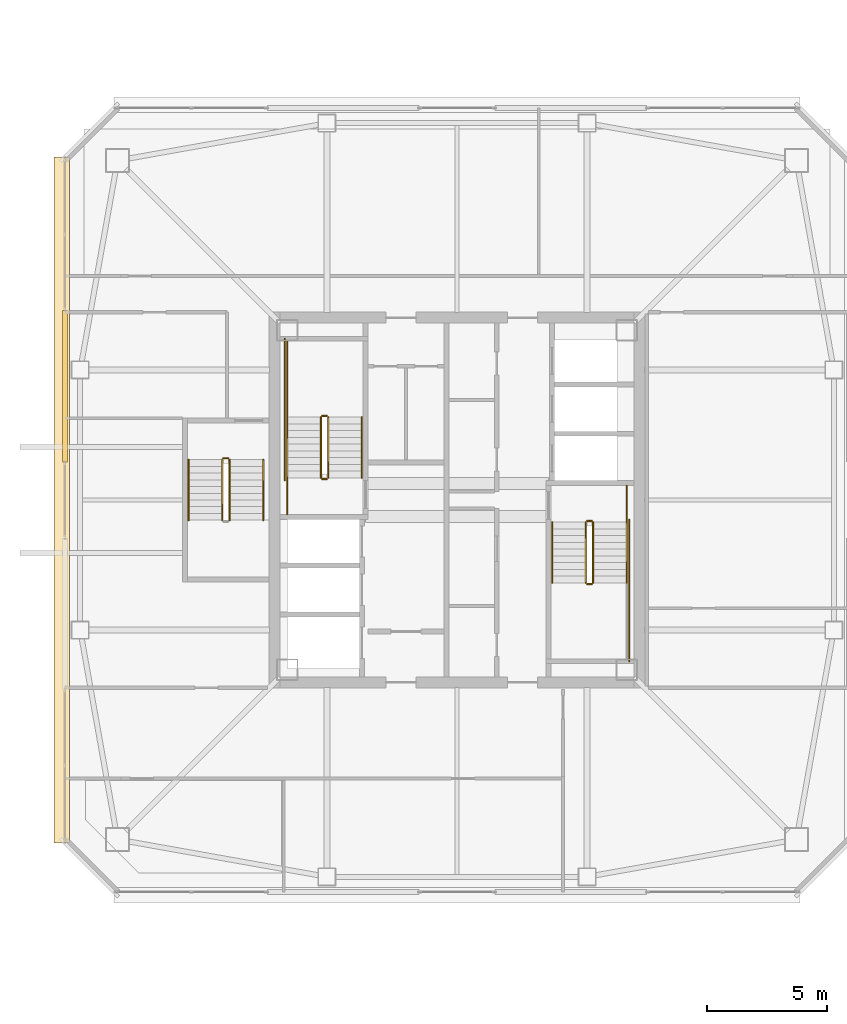
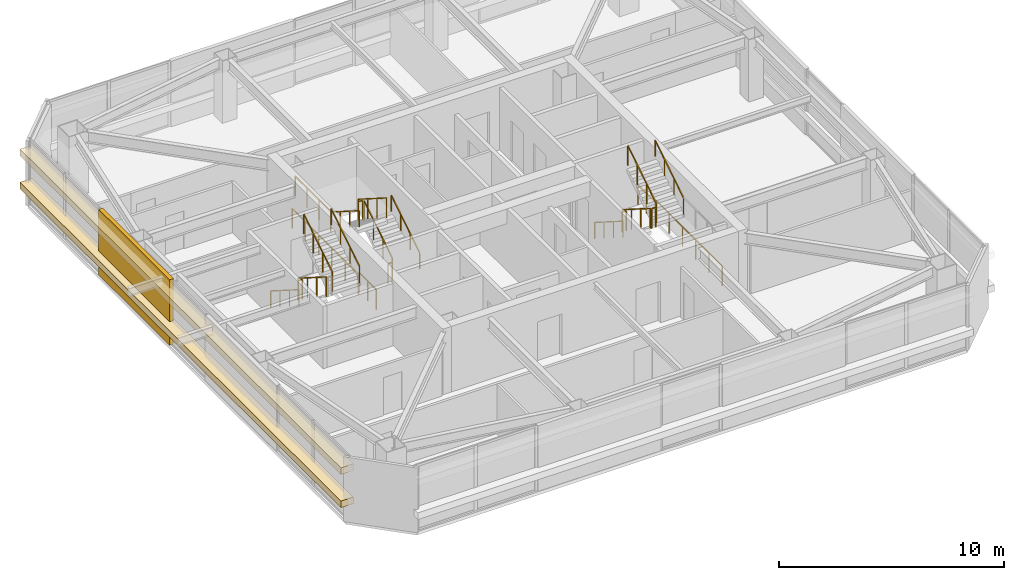
# One storey, part 40 of 44: 22 railings, 3 coverings.
"""IFC4 building model written with IfcOpenShell, lengths in metres."""

from ifc_helpers import new_model, si_unit, direction, frame, origin, origin_2d, place, context, subcontext, project, spatial, rectangle, extrude, material, layer, layer_set, type_object, element, save


model = new_model("IFC4")

# Units and contexts
model_context = context("Model", 3, precision=1e-05, world=origin(), true_north=direction((0.0, 1.0)))
body_context = subcontext(model_context, "Body", "Model", "MODEL_VIEW")
ifc_project = project(units=[si_unit("LENGTHUNIT", "METRE"), si_unit("AREAUNIT", "SQUARE_METRE"), si_unit("VOLUMEUNIT", "CUBIC_METRE"), si_unit("PLANEANGLEUNIT", "RADIAN"), si_unit("MASSUNIT", "GRAM", prefix="KILO")], contexts=[model_context])

# Site, building, storey
site_placement = place(None, origin())
site = spatial("IfcSite", under=ifc_project, at=site_placement, CompositionType="ELEMENT")
building_placement = place(site_placement, origin())
building = spatial("IfcBuilding", under=site, at=building_placement, Name="Tashvorn Skyway Center", CompositionType="ELEMENT")
storey_placement = place(building_placement, frame((0.0, 0.0, 211.300048828125)))
storey = spatial("IfcBuildingStorey", under=building, at=storey_placement, Name="L57", CompositionType="ELEMENT", Elevation=211.300048828125)

# Coverings
ifc_material_1 = material(Name="Precast concrete C40/50", Category="concrete")
ifc_layer_1 = layer(ifc_material_1, 0.199951171875)
ifc_layer_set_1 = layer_set([ifc_layer_1], Name="Precast concrete C40/50")
covering_type_1 = type_object("IfcCoveringType", Name="COV-BRACE-CLAD", PredefinedType="CLADDING", material=ifc_layer_set_1)
covering_placement = place(storey_placement, frame((25.719970703125, 36.726806640625, 0.0), z_axis=(0.0, 0.0, 1.0), x_axis=(0.0, 1.0, 0.0)))
element("IfcCovering", 1, at=covering_placement, inside=storey, type_object=covering_type_1, Name="Tower 1 L57 West Unitised Curtain Wall Mega-Brace Cladding Band 2", PredefinedType="CLADDING", context=body_context, shape_type="SweptSolid", body=[
    extrude(rectangle(XDim=6.30224609375, YDim=0.199951171875, at=origin_2d()), origin(), (0.0, 0.0, 1.0), 3.550048828125),
])
ifc_material_2 = material(Name="Perforated ceramic-coated bronze aluminium solar screen", Category="aluminium")
ifc_layer_2 = layer(ifc_material_2, 0.85009765625)
ifc_layer_set_2 = layer_set([ifc_layer_2], Name="Perforated ceramic-coated bronze aluminium solar screen")
covering_type_2 = type_object("IfcCoveringType", Name="COV-SOLAR-BAND", PredefinedType="CLADDING", material=ifc_layer_set_2)
for number, where, z_axis, x_axis, name in (
    (2, (25.580078125, 32.0, 0.919921875), (0.0, 0.0, 1.0), (0.0, 1.0, 0.0), "L57 Perforated Ceramic-Metal Solar Screen Louvre Band West 1"),
    (3, (25.580078125, 32.0, 2.7197265625), (0.0, 0.0, 1.0), (0.0, 1.0, 0.0), "L57 Perforated Ceramic-Metal Solar Screen Louvre Band West 2"),
):
    element("IfcCovering", number, at=place(storey_placement, frame(where, z_axis=z_axis, x_axis=x_axis)), inside=storey, type_object=covering_type_2, Name=name, PredefinedType="CLADDING", context=body_context, shape_type="SweptSolid", body=[
        extrude(rectangle(XDim=28.47998046875, YDim=0.639892578125, at=origin_2d()), origin(), (0.0, 0.0, 1.0), 0.360107421875),
    ])

# Railings
ifc_material_3 = material(Name="Brushed stainless steel 316", Category="steel")
railing_type_1 = type_object("IfcRailingType", Name="RAIL-HAND-920", PredefinedType="HANDRAIL", material=ifc_material_3)
railing_1_placement = place(storey_placement, frame((38.050048828125, 32.919921875, 0.177490234375)))
element("IfcRailing", 4, at=railing_1_placement, inside=storey, type_object=railing_type_1, Name="L57 ST-T1-1 stair handrail 1", PredefinedType="HANDRAIL", context=body_context, shape_type="SweptSolid", body=[
    extrude(rectangle(XDim=0.048095703125, YDim=0.048095703125, at=origin_2d()), frame((0.0, 0.0, 0.8759765625), z_axis=(0.0, 0.84460694969, 0.535386869969), x_axis=(-1.0, 0.0, 0.0)), (0.0, 0.0, 1.0), 2.983642578125),
    extrude(rectangle(XDim=0.0419921875, YDim=0.0419921875, at=origin_2d()), origin(), (0.0, 0.0, 1.0), 0.851806640625),
    extrude(rectangle(XDim=0.0419921875, YDim=0.0419921875, at=origin_2d()), frame((0.0, 0.840087890625, 0.532470703125)), (0.0, 0.0, 1.0), 0.851806640625),
    extrude(rectangle(XDim=0.0419921875, YDim=0.0419921875, at=origin_2d()), frame((0.0, 1.679931640625, 1.06494140625)), (0.0, 0.0, 1.0), 0.851806640625),
    extrude(rectangle(XDim=0.0419921875, YDim=0.0419921875, at=origin_2d()), frame((0.0, 2.52001953125, 1.597412109375)), (0.0, 0.0, 1.0), 0.851806640625),
])
railing_2_placement = place(storey_placement, frame((34.949951171875, 35.43994140625, 1.952392578125)))
element("IfcRailing", 5, at=railing_2_placement, inside=storey, type_object=railing_type_1, Name="L57 ST-T1-1 stair handrail 2", PredefinedType="HANDRAIL", context=body_context, shape_type="SweptSolid", body=[
    extrude(rectangle(XDim=0.048095703125, YDim=0.048095703125, at=origin_2d()), frame((0.0, 0.0, 0.8759765625), z_axis=(0.0, -0.84456994832, 0.535445237532), x_axis=(1.0, 0.0, 0.0)), (0.0, 0.0, 1.0), 2.98388671875),
    extrude(rectangle(XDim=0.0419921875, YDim=0.0419921875, at=origin_2d()), origin(), (0.0, 0.0, 1.0), 0.851806640625),
    extrude(rectangle(XDim=0.0419921875, YDim=0.0419921875, at=origin_2d()), frame((0.0, -0.840087890625, 0.532470703125)), (0.0, 0.0, 1.0), 0.851806640625),
    extrude(rectangle(XDim=0.0419921875, YDim=0.0419921875, at=origin_2d()), frame((0.0, -1.679931640625, 1.065185546875)), (0.0, 0.0, 1.0), 0.851806640625),
    extrude(rectangle(XDim=0.0419921875, YDim=0.0419921875, at=origin_2d()), frame((0.0, -2.52001953125, 1.59765625)), (0.0, 0.0, 1.0), 0.851806640625),
])
railing_3_placement = place(storey_placement, frame((45.949951171875, 31.080078125, 0.177490234375)))
element("IfcRailing", 6, at=railing_3_placement, inside=storey, type_object=railing_type_1, Name="L57 ST-T1-2 stair handrail 1", PredefinedType="HANDRAIL", context=body_context, shape_type="SweptSolid", body=[
    extrude(rectangle(XDim=0.048095703125, YDim=0.048095703125, at=origin_2d()), frame((0.0, 0.0, 0.8759765625), z_axis=(0.0, -0.84460694969, 0.535386869969), x_axis=(1.0, 0.0, 0.0)), (0.0, 0.0, 1.0), 2.983642578125),
    extrude(rectangle(XDim=0.0419921875, YDim=0.0419921875, at=origin_2d()), origin(), (0.0, 0.0, 1.0), 0.851806640625),
    extrude(rectangle(XDim=0.0419921875, YDim=0.0419921875, at=origin_2d()), frame((0.0, -0.840087890625, 0.532470703125)), (0.0, 0.0, 1.0), 0.851806640625),
    extrude(rectangle(XDim=0.0419921875, YDim=0.0419921875, at=origin_2d()), frame((0.0, -1.679931640625, 1.06494140625)), (0.0, 0.0, 1.0), 0.851806640625),
    extrude(rectangle(XDim=0.0419921875, YDim=0.0419921875, at=origin_2d()), frame((0.0, -2.52001953125, 1.597412109375)), (0.0, 0.0, 1.0), 0.851806640625),
])
railing_4_placement = place(storey_placement, frame((49.050048828125, 28.56005859375, 1.952392578125)))
element("IfcRailing", 7, at=railing_4_placement, inside=storey, type_object=railing_type_1, Name="L57 ST-T1-2 stair handrail 2", PredefinedType="HANDRAIL", context=body_context, shape_type="SweptSolid", body=[
    extrude(rectangle(XDim=0.048095703125, YDim=0.048095703125, at=origin_2d()), frame((0.0, 0.0, 0.8759765625), z_axis=(0.0, 0.84456994832, 0.535445237532), x_axis=(-1.0, 0.0, 0.0)), (0.0, 0.0, 1.0), 2.98388671875),
    extrude(rectangle(XDim=0.0419921875, YDim=0.0419921875, at=origin_2d()), origin(), (0.0, 0.0, 1.0), 0.851806640625),
    extrude(rectangle(XDim=0.0419921875, YDim=0.0419921875, at=origin_2d()), frame((0.0, 0.840087890625, 0.532470703125)), (0.0, 0.0, 1.0), 0.851806640625),
    extrude(rectangle(XDim=0.0419921875, YDim=0.0419921875, at=origin_2d()), frame((0.0, 1.679931640625, 1.065185546875)), (0.0, 0.0, 1.0), 0.851806640625),
    extrude(rectangle(XDim=0.0419921875, YDim=0.0419921875, at=origin_2d()), frame((0.0, 2.52001953125, 1.59765625)), (0.0, 0.0, 1.0), 0.851806640625),
])
railing_5_placement = place(storey_placement, frame((30.85009765625, 33.679931640625, 0.177490234375)))
element("IfcRailing", 8, at=railing_5_placement, inside=storey, type_object=railing_type_1, Name="L57 ST-T1-3 stair handrail 1", PredefinedType="HANDRAIL", context=body_context, shape_type="SweptSolid", body=[
    extrude(rectangle(XDim=0.048095703125, YDim=0.048095703125, at=origin_2d()), frame((0.0, 0.0, 0.8759765625), z_axis=(0.0, -0.84460694969, 0.535386869969), x_axis=(1.0, 0.0, 0.0)), (0.0, 0.0, 1.0), 2.983642578125),
    extrude(rectangle(XDim=0.0419921875, YDim=0.0419921875, at=origin_2d()), origin(), (0.0, 0.0, 1.0), 0.851806640625),
    extrude(rectangle(XDim=0.0419921875, YDim=0.0419921875, at=origin_2d()), frame((0.0, -0.840087890625, 0.532470703125)), (0.0, 0.0, 1.0), 0.851806640625),
    extrude(rectangle(XDim=0.0419921875, YDim=0.0419921875, at=origin_2d()), frame((0.0, -1.679931640625, 1.06494140625)), (0.0, 0.0, 1.0), 0.851806640625),
    extrude(rectangle(XDim=0.0419921875, YDim=0.0419921875, at=origin_2d()), frame((0.0, -2.52001953125, 1.597412109375)), (0.0, 0.0, 1.0), 0.851806640625),
])
railing_6_placement = place(storey_placement, frame((33.949951171875, 31.159912109375, 1.952392578125)))
element("IfcRailing", 9, at=railing_6_placement, inside=storey, type_object=railing_type_1, Name="L57 ST-T1-3 stair handrail 2", PredefinedType="HANDRAIL", context=body_context, shape_type="SweptSolid", body=[
    extrude(rectangle(XDim=0.048095703125, YDim=0.048095703125, at=origin_2d()), frame((0.0, 0.0, 0.8759765625), z_axis=(0.0, 0.84456994832, 0.535445237532), x_axis=(-1.0, 0.0, 0.0)), (0.0, 0.0, 1.0), 2.98388671875),
    extrude(rectangle(XDim=0.0419921875, YDim=0.0419921875, at=origin_2d()), origin(), (0.0, 0.0, 1.0), 0.851806640625),
    extrude(rectangle(XDim=0.0419921875, YDim=0.0419921875, at=origin_2d()), frame((0.0, 0.840087890625, 0.532470703125)), (0.0, 0.0, 1.0), 0.851806640625),
    extrude(rectangle(XDim=0.0419921875, YDim=0.0419921875, at=origin_2d()), frame((0.0, 1.679931640625, 1.065185546875)), (0.0, 0.0, 1.0), 0.851806640625),
    extrude(rectangle(XDim=0.0419921875, YDim=0.0419921875, at=origin_2d()), frame((0.0, 2.52001953125, 1.59765625)), (0.0, 0.0, 1.0), 0.851806640625),
])
ifc_material_4 = material(Name="Painted galvanized steel S355", Category="steel")
railing_type_2 = type_object("IfcRailingType", Name="RAIL-STGUARD-1100", PredefinedType="GUARDRAIL", material=ifc_material_4)
railing_7_placement = place(storey_placement, frame((36.64990234375, 32.919921875, 0.177490234375)))
element("IfcRailing", 10, at=railing_7_placement, inside=storey, type_object=railing_type_2, Name="L57 ST-T1-1 stair guard 1", PredefinedType="GUARDRAIL", context=body_context, shape_type="SweptSolid", body=[
    extrude(rectangle(XDim=0.048095703125, YDim=0.048095703125, at=origin_2d()), frame((0.0, 0.0, 1.076171875), z_axis=(0.0, 0.84460694969, 0.535386869969), x_axis=(-1.0, 0.0, 0.0)), (0.0, 0.0, 1.0), 2.983642578125),
    extrude(rectangle(XDim=0.0419921875, YDim=0.0419921875, at=origin_2d()), origin(), (0.0, 0.0, 1.0), 1.052001953125),
    extrude(rectangle(XDim=0.0419921875, YDim=0.0419921875, at=origin_2d()), frame((0.0, 0.840087890625, 0.532470703125)), (0.0, 0.0, 1.0), 1.052001953125),
    extrude(rectangle(XDim=0.0419921875, YDim=0.0419921875, at=origin_2d()), frame((0.0, 1.679931640625, 1.06494140625)), (0.0, 0.0, 1.0), 1.052001953125),
    extrude(rectangle(XDim=0.0419921875, YDim=0.0419921875, at=origin_2d()), frame((0.0, 2.52001953125, 1.597412109375)), (0.0, 0.0, 1.0), 1.052001953125),
])
railing_8_placement = place(storey_placement, frame((36.60009765625, 35.489990234375, 1.77490234375)))
element("IfcRailing", 11, at=railing_8_placement, inside=storey, type_object=railing_type_2, Name="L57 ST-T1-1 stair guard 2", PredefinedType="GUARDRAIL", context=body_context, shape_type="SweptSolid", body=[
    extrude(rectangle(XDim=0.048095703125, YDim=0.048095703125, at=origin_2d()), frame((0.0, 0.0, 1.076171875), z_axis=(-1.0, 0.0, 0.0), x_axis=(0.0, -1.0, 0.0)), (0.0, 0.0, 1.0), 0.2001953125),
    extrude(rectangle(XDim=0.0419921875, YDim=0.0419921875, at=origin_2d()), origin(), (0.0, 0.0, 1.0), 1.052001953125),
    extrude(rectangle(XDim=0.0419921875, YDim=0.0419921875, at=origin_2d()), frame((-0.2001953125, 0.0, 0.0)), (0.0, 0.0, 1.0), 1.052001953125),
])
railing_9_placement = place(storey_placement, frame((34.949951171875, 35.43994140625, 1.77490234375)))
element("IfcRailing", 12, at=railing_9_placement, inside=storey, type_object=railing_type_2, Name="L57 ST-T1-1 stair guard 3", PredefinedType="GUARDRAIL", context=body_context, shape_type="SweptSolid", body=[
    extrude(rectangle(XDim=0.048095703125, YDim=0.048095703125, at=origin_2d()), frame((0.0, 0.0, 1.076171875), z_axis=(0.0, 1.0, 0.0), x_axis=(-1.0, 0.0, 0.0)), (0.0, 0.0, 1.0), 3.16015625),
    extrude(rectangle(XDim=0.0419921875, YDim=0.0419921875, at=origin_2d()), origin(), (0.0, 0.0, 1.0), 1.052001953125),
    extrude(rectangle(XDim=0.0419921875, YDim=0.0419921875, at=origin_2d()), frame((0.0, 1.053466796875, 0.0)), (0.0, 0.0, 1.0), 1.052001953125),
    extrude(rectangle(XDim=0.0419921875, YDim=0.0419921875, at=origin_2d()), frame((0.0, 2.106689453125, 0.0)), (0.0, 0.0, 1.0), 1.052001953125),
    extrude(rectangle(XDim=0.0419921875, YDim=0.0419921875, at=origin_2d()), frame((0.0, 3.16015625, 0.0)), (0.0, 0.0, 1.0), 1.052001953125),
])
railing_10_placement = place(storey_placement, frame((36.35009765625, 35.43994140625, 1.952392578125)))
element("IfcRailing", 13, at=railing_10_placement, inside=storey, type_object=railing_type_2, Name="L57 ST-T1-1 stair guard 4", PredefinedType="GUARDRAIL", context=body_context, shape_type="SweptSolid", body=[
    extrude(rectangle(XDim=0.048095703125, YDim=0.048095703125, at=origin_2d()), frame((0.0, 0.0, 1.076171875), z_axis=(0.0, -0.84456994832, 0.535445237532), x_axis=(1.0, 0.0, 0.0)), (0.0, 0.0, 1.0), 2.98388671875),
    extrude(rectangle(XDim=0.0419921875, YDim=0.0419921875, at=origin_2d()), origin(), (0.0, 0.0, 1.0), 1.052001953125),
    extrude(rectangle(XDim=0.0419921875, YDim=0.0419921875, at=origin_2d()), frame((0.0, -0.840087890625, 0.532470703125)), (0.0, 0.0, 1.0), 1.052001953125),
    extrude(rectangle(XDim=0.0419921875, YDim=0.0419921875, at=origin_2d()), frame((0.0, -1.679931640625, 1.065185546875)), (0.0, 0.0, 1.0), 1.052001953125),
    extrude(rectangle(XDim=0.0419921875, YDim=0.0419921875, at=origin_2d()), frame((0.0, -2.52001953125, 1.59765625)), (0.0, 0.0, 1.0), 1.052001953125),
])
railing_11_placement = place(storey_placement, frame((36.60009765625, 32.8701171875, 0.0)))
element("IfcRailing", 14, at=railing_11_placement, inside=storey, type_object=railing_type_2, Name="L57 ST-T1-1 stair guard 5", PredefinedType="GUARDRAIL", context=body_context, shape_type="SweptSolid", body=[
    extrude(rectangle(XDim=0.048095703125, YDim=0.048095703125, at=origin_2d()), frame((0.0, 0.0, 1.076171875), z_axis=(-1.0, 0.0, 0.0), x_axis=(0.0, -1.0, 0.0)), (0.0, 0.0, 1.0), 0.2001953125),
    extrude(rectangle(XDim=0.0419921875, YDim=0.0419921875, at=origin_2d()), origin(), (0.0, 0.0, 1.0), 1.052001953125),
    extrude(rectangle(XDim=0.0419921875, YDim=0.0419921875, at=origin_2d()), frame((-0.2001953125, 0.0, 0.0)), (0.0, 0.0, 1.0), 1.052001953125),
])
railing_12_placement = place(storey_placement, frame((34.949951171875, 31.39990234375, 0.0)))
element("IfcRailing", 15, at=railing_12_placement, inside=storey, type_object=railing_type_2, Name="L57 ST-T1-1 stair guard 6", PredefinedType="GUARDRAIL", context=body_context, shape_type="SweptSolid", body=[
    extrude(rectangle(XDim=0.048095703125, YDim=0.048095703125, at=origin_2d()), frame((0.0, 0.0, 1.076171875), z_axis=(0.0, 1.0, 0.0), x_axis=(-1.0, 0.0, 0.0)), (0.0, 0.0, 1.0), 1.52001953125),
    extrude(rectangle(XDim=0.0419921875, YDim=0.0419921875, at=origin_2d()), origin(), (0.0, 0.0, 1.0), 1.052001953125),
    extrude(rectangle(XDim=0.0419921875, YDim=0.0419921875, at=origin_2d()), frame((0.0, 0.760009765625, 0.0)), (0.0, 0.0, 1.0), 1.052001953125),
    extrude(rectangle(XDim=0.0419921875, YDim=0.0419921875, at=origin_2d()), frame((0.0, 1.52001953125, 0.0)), (0.0, 0.0, 1.0), 1.052001953125),
])
railing_13_placement = place(storey_placement, frame((34.85009765625, 32.820068359375, 0.0)))
element("IfcRailing", 16, at=railing_13_placement, inside=storey, type_object=railing_type_2, Name="L57 ST-T1-1 stair guard 7", PredefinedType="GUARDRAIL", context=body_context, shape_type="SweptSolid", body=[
    extrude(rectangle(XDim=0.048095703125, YDim=0.048095703125, at=origin_2d()), frame((0.0, 0.0, 1.076171875), z_axis=(0.0, 1.0, 0.0), x_axis=(-1.0, 0.0, 0.0)), (0.0, 0.0, 1.0), 5.8798828125),
    extrude(rectangle(XDim=0.0419921875, YDim=0.0419921875, at=origin_2d()), origin(), (0.0, 0.0, 1.0), 1.052001953125),
    extrude(rectangle(XDim=0.0419921875, YDim=0.0419921875, at=origin_2d()), frame((0.0, 1.176025390625, 0.0)), (0.0, 0.0, 1.0), 1.052001953125),
    extrude(rectangle(XDim=0.0419921875, YDim=0.0419921875, at=origin_2d()), frame((0.0, 2.35205078125, 0.0)), (0.0, 0.0, 1.0), 1.052001953125),
    extrude(rectangle(XDim=0.0419921875, YDim=0.0419921875, at=origin_2d()), frame((0.0, 3.52783203125, 0.0)), (0.0, 0.0, 1.0), 1.052001953125),
    extrude(rectangle(XDim=0.0419921875, YDim=0.0419921875, at=origin_2d()), frame((0.0, 4.703857421875, 0.0)), (0.0, 0.0, 1.0), 1.052001953125),
    extrude(rectangle(XDim=0.0419921875, YDim=0.0419921875, at=origin_2d()), frame((0.0, 5.8798828125, 0.0)), (0.0, 0.0, 1.0), 1.052001953125),
])
railing_14_placement = place(storey_placement, frame((47.35009765625, 31.080078125, 0.177490234375)))
element("IfcRailing", 17, at=railing_14_placement, inside=storey, type_object=railing_type_2, Name="L57 ST-T1-2 stair guard 1", PredefinedType="GUARDRAIL", context=body_context, shape_type="SweptSolid", body=[
    extrude(rectangle(XDim=0.048095703125, YDim=0.048095703125, at=origin_2d()), frame((0.0, 0.0, 1.076171875), z_axis=(0.0, -0.84460694969, 0.535386869969), x_axis=(1.0, 0.0, 0.0)), (0.0, 0.0, 1.0), 2.983642578125),
    extrude(rectangle(XDim=0.0419921875, YDim=0.0419921875, at=origin_2d()), origin(), (0.0, 0.0, 1.0), 1.052001953125),
    extrude(rectangle(XDim=0.0419921875, YDim=0.0419921875, at=origin_2d()), frame((0.0, -0.840087890625, 0.532470703125)), (0.0, 0.0, 1.0), 1.052001953125),
    extrude(rectangle(XDim=0.0419921875, YDim=0.0419921875, at=origin_2d()), frame((0.0, -1.679931640625, 1.06494140625)), (0.0, 0.0, 1.0), 1.052001953125),
    extrude(rectangle(XDim=0.0419921875, YDim=0.0419921875, at=origin_2d()), frame((0.0, -2.52001953125, 1.597412109375)), (0.0, 0.0, 1.0), 1.052001953125),
])
railing_15_placement = place(storey_placement, frame((47.39990234375, 28.510009765625, 1.77490234375)))
element("IfcRailing", 18, at=railing_15_placement, inside=storey, type_object=railing_type_2, Name="L57 ST-T1-2 stair guard 2", PredefinedType="GUARDRAIL", context=body_context, shape_type="SweptSolid", body=[
    extrude(rectangle(XDim=0.048095703125, YDim=0.048095703125, at=origin_2d()), frame((0.0, 0.0, 1.076171875), z_axis=(1.0, 0.0, 0.0), x_axis=(0.0, 1.0, 0.0)), (0.0, 0.0, 1.0), 0.2001953125),
    extrude(rectangle(XDim=0.0419921875, YDim=0.0419921875, at=origin_2d()), origin(), (0.0, 0.0, 1.0), 1.052001953125),
    extrude(rectangle(XDim=0.0419921875, YDim=0.0419921875, at=origin_2d()), frame((0.2001953125, 0.0, 0.0)), (0.0, 0.0, 1.0), 1.052001953125),
])
railing_16_placement = place(storey_placement, frame((47.64990234375, 28.56005859375, 1.952392578125)))
element("IfcRailing", 19, at=railing_16_placement, inside=storey, type_object=railing_type_2, Name="L57 ST-T1-2 stair guard 4", PredefinedType="GUARDRAIL", context=body_context, shape_type="SweptSolid", body=[
    extrude(rectangle(XDim=0.048095703125, YDim=0.048095703125, at=origin_2d()), frame((0.0, 0.0, 1.076171875), z_axis=(0.0, 0.84456994832, 0.535445237532), x_axis=(-1.0, 0.0, 0.0)), (0.0, 0.0, 1.0), 2.98388671875),
    extrude(rectangle(XDim=0.0419921875, YDim=0.0419921875, at=origin_2d()), origin(), (0.0, 0.0, 1.0), 1.052001953125),
    extrude(rectangle(XDim=0.0419921875, YDim=0.0419921875, at=origin_2d()), frame((0.0, 0.840087890625, 0.532470703125)), (0.0, 0.0, 1.0), 1.052001953125),
    extrude(rectangle(XDim=0.0419921875, YDim=0.0419921875, at=origin_2d()), frame((0.0, 1.679931640625, 1.065185546875)), (0.0, 0.0, 1.0), 1.052001953125),
    extrude(rectangle(XDim=0.0419921875, YDim=0.0419921875, at=origin_2d()), frame((0.0, 2.52001953125, 1.59765625)), (0.0, 0.0, 1.0), 1.052001953125),
])
railing_17_placement = place(storey_placement, frame((47.39990234375, 31.1298828125, 0.0)))
element("IfcRailing", 20, at=railing_17_placement, inside=storey, type_object=railing_type_2, Name="L57 ST-T1-2 stair guard 5", PredefinedType="GUARDRAIL", context=body_context, shape_type="SweptSolid", body=[
    extrude(rectangle(XDim=0.048095703125, YDim=0.048095703125, at=origin_2d()), frame((0.0, 0.0, 1.076171875), z_axis=(1.0, 0.0, 0.0), x_axis=(0.0, 1.0, 0.0)), (0.0, 0.0, 1.0), 0.2001953125),
    extrude(rectangle(XDim=0.0419921875, YDim=0.0419921875, at=origin_2d()), origin(), (0.0, 0.0, 1.0), 1.052001953125),
    extrude(rectangle(XDim=0.0419921875, YDim=0.0419921875, at=origin_2d()), frame((0.2001953125, 0.0, 0.0)), (0.0, 0.0, 1.0), 1.052001953125),
])
railing_18_placement = place(storey_placement, frame((49.050048828125, 32.60009765625, 0.0)))
element("IfcRailing", 21, at=railing_18_placement, inside=storey, type_object=railing_type_2, Name="L57 ST-T1-2 stair guard 6", PredefinedType="GUARDRAIL", context=body_context, shape_type="SweptSolid", body=[
    extrude(rectangle(XDim=0.048095703125, YDim=0.048095703125, at=origin_2d()), frame((0.0, 0.0, 1.076171875), z_axis=(0.0, -1.0, 0.0), x_axis=(1.0, 0.0, 0.0)), (0.0, 0.0, 1.0), 1.52001953125),
    extrude(rectangle(XDim=0.0419921875, YDim=0.0419921875, at=origin_2d()), origin(), (0.0, 0.0, 1.0), 1.052001953125),
    extrude(rectangle(XDim=0.0419921875, YDim=0.0419921875, at=origin_2d()), frame((0.0, -0.760009765625, 0.0)), (0.0, 0.0, 1.0), 1.052001953125),
    extrude(rectangle(XDim=0.0419921875, YDim=0.0419921875, at=origin_2d()), frame((0.0, -1.52001953125, 0.0)), (0.0, 0.0, 1.0), 1.052001953125),
])
railing_19_placement = place(storey_placement, frame((49.14990234375, 31.179931640625, 0.0)))
element("IfcRailing", 22, at=railing_19_placement, inside=storey, type_object=railing_type_2, Name="L57 ST-T1-2 stair guard 7", PredefinedType="GUARDRAIL", context=body_context, shape_type="SweptSolid", body=[
    extrude(rectangle(XDim=0.048095703125, YDim=0.048095703125, at=origin_2d()), frame((0.0, 0.0, 1.076171875), z_axis=(0.0, -1.0, 0.0), x_axis=(1.0, 0.0, 0.0)), (0.0, 0.0, 1.0), 5.8798828125),
    extrude(rectangle(XDim=0.0419921875, YDim=0.0419921875, at=origin_2d()), origin(), (0.0, 0.0, 1.0), 1.052001953125),
    extrude(rectangle(XDim=0.0419921875, YDim=0.0419921875, at=origin_2d()), frame((0.0, -1.176025390625, 0.0)), (0.0, 0.0, 1.0), 1.052001953125),
    extrude(rectangle(XDim=0.0419921875, YDim=0.0419921875, at=origin_2d()), frame((0.0, -2.35205078125, 0.0)), (0.0, 0.0, 1.0), 1.052001953125),
    extrude(rectangle(XDim=0.0419921875, YDim=0.0419921875, at=origin_2d()), frame((0.0, -3.52783203125, 0.0)), (0.0, 0.0, 1.0), 1.052001953125),
    extrude(rectangle(XDim=0.0419921875, YDim=0.0419921875, at=origin_2d()), frame((0.0, -4.703857421875, 0.0)), (0.0, 0.0, 1.0), 1.052001953125),
    extrude(rectangle(XDim=0.0419921875, YDim=0.0419921875, at=origin_2d()), frame((0.0, -5.8798828125, 0.0)), (0.0, 0.0, 1.0), 1.052001953125),
])
railing_20_placement = place(storey_placement, frame((32.25, 33.679931640625, 0.177490234375)))
element("IfcRailing", 23, at=railing_20_placement, inside=storey, type_object=railing_type_2, Name="L57 ST-T1-3 stair guard 1", PredefinedType="GUARDRAIL", context=body_context, shape_type="SweptSolid", body=[
    extrude(rectangle(XDim=0.048095703125, YDim=0.048095703125, at=origin_2d()), frame((0.0, 0.0, 1.076171875), z_axis=(0.0, -0.84460694969, 0.535386869969), x_axis=(1.0, 0.0, 0.0)), (0.0, 0.0, 1.0), 2.983642578125),
    extrude(rectangle(XDim=0.0419921875, YDim=0.0419921875, at=origin_2d()), origin(), (0.0, 0.0, 1.0), 1.052001953125),
    extrude(rectangle(XDim=0.0419921875, YDim=0.0419921875, at=origin_2d()), frame((0.0, -0.840087890625, 0.532470703125)), (0.0, 0.0, 1.0), 1.052001953125),
    extrude(rectangle(XDim=0.0419921875, YDim=0.0419921875, at=origin_2d()), frame((0.0, -1.679931640625, 1.06494140625)), (0.0, 0.0, 1.0), 1.052001953125),
    extrude(rectangle(XDim=0.0419921875, YDim=0.0419921875, at=origin_2d()), frame((0.0, -2.52001953125, 1.597412109375)), (0.0, 0.0, 1.0), 1.052001953125),
])
railing_21_placement = place(storey_placement, frame((32.550048828125, 31.159912109375, 1.952392578125)))
element("IfcRailing", 24, at=railing_21_placement, inside=storey, type_object=railing_type_2, Name="L57 ST-T1-3 stair guard 3", PredefinedType="GUARDRAIL", context=body_context, shape_type="SweptSolid", body=[
    extrude(rectangle(XDim=0.048095703125, YDim=0.048095703125, at=origin_2d()), frame((0.0, 0.0, 1.076171875), z_axis=(0.0, 0.84456994832, 0.535445237532), x_axis=(-1.0, 0.0, 0.0)), (0.0, 0.0, 1.0), 2.98388671875),
    extrude(rectangle(XDim=0.0419921875, YDim=0.0419921875, at=origin_2d()), origin(), (0.0, 0.0, 1.0), 1.052001953125),
    extrude(rectangle(XDim=0.0419921875, YDim=0.0419921875, at=origin_2d()), frame((0.0, 0.840087890625, 0.532470703125)), (0.0, 0.0, 1.0), 1.052001953125),
    extrude(rectangle(XDim=0.0419921875, YDim=0.0419921875, at=origin_2d()), frame((0.0, 1.679931640625, 1.065185546875)), (0.0, 0.0, 1.0), 1.052001953125),
    extrude(rectangle(XDim=0.0419921875, YDim=0.0419921875, at=origin_2d()), frame((0.0, 2.52001953125, 1.59765625)), (0.0, 0.0, 1.0), 1.052001953125),
])
railing_22_placement = place(storey_placement, frame((32.300048828125, 33.72998046875, 0.0)))
element("IfcRailing", 25, at=railing_22_placement, inside=storey, type_object=railing_type_2, Name="L57 ST-T1-3 stair guard 4", PredefinedType="GUARDRAIL", context=body_context, shape_type="SweptSolid", body=[
    extrude(rectangle(XDim=0.048095703125, YDim=0.048095703125, at=origin_2d()), frame((0.0, 0.0, 1.076171875), z_axis=(1.0, 0.0, 0.0), x_axis=(0.0, 1.0, 0.0)), (0.0, 0.0, 1.0), 0.199951171875),
    extrude(rectangle(XDim=0.0419921875, YDim=0.0419921875, at=origin_2d()), origin(), (0.0, 0.0, 1.0), 1.052001953125),
    extrude(rectangle(XDim=0.0419921875, YDim=0.0419921875, at=origin_2d()), frame((0.199951171875, 0.0, 0.0)), (0.0, 0.0, 1.0), 1.052001953125),
])

save(model, "model.ifc")
